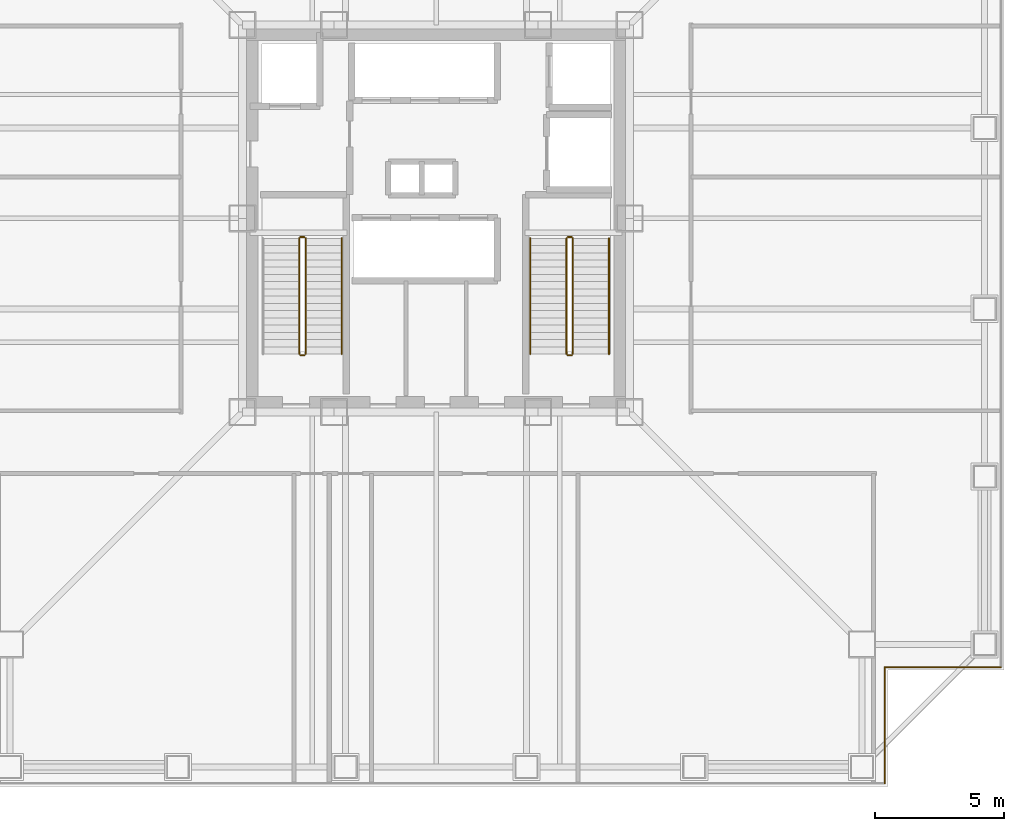
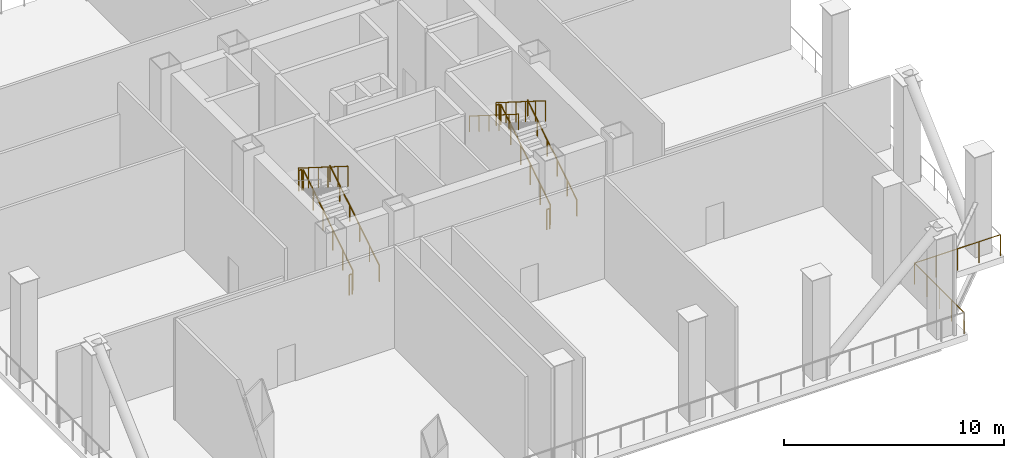
# One storey, part 6 of 7: 13 railings.
"""IFC4 building model written with IfcOpenShell, lengths in metres."""

import ifcopenshell
import ifcopenshell.guid

model = None  # the IFC model being written
_history = None  # IfcOwnerHistory: only IFC2X3 demands one
_inside = {}  # id of a spatial element -> (the spatial element, [elements in it])
_under = {}  # id of a project, library or spatial element -> (it, [spatial elements below it])
_declared = {}  # id of a project -> (the project, [libraries it declares])
_typed = {}  # id of a type object -> (the type object, [elements of that type])
_made_of = {}  # id of a material, layer set ... -> (it, [elements and type objects made of it])


def new_model(schema):
    """Start an empty IFC model of exactly this schema.

    Asked for "IFC4X3", IfcOpenShell would pick the latest addendum, in which some entities
    have other attributes; the version numbers below select the first issue.
    IFC2X3 requires an IfcOwnerHistory on every rooted entity: one is made here for all.
    """
    global model, _history
    if schema == "IFC4X3":
        model = ifcopenshell.file(schema_version=(4, 3, 0, 0))
    else:
        model = ifcopenshell.file(schema=schema)
    _inside.clear()
    _under.clear()
    _declared.clear()
    _typed.clear()
    _made_of.clear()
    _history = None
    if model.schema == "IFC2X3":
        org = make("IfcOrganization", Name="unknown")
        user = make(
            "IfcPersonAndOrganization",
            ThePerson=make("IfcPerson", FamilyName="unknown"),
            TheOrganization=org,
        )
        app = make(
            "IfcApplication",
            ApplicationDeveloper=org,
            Version="unknown",
            ApplicationFullName="unknown",
            ApplicationIdentifier="unknown",
        )
        _history = make(
            "IfcOwnerHistory",
            OwningUser=user,
            OwningApplication=app,
            ChangeAction="ADDED",
            CreationDate=0,
        )
    return model


def make(cls, **values):
    """One entity of the class cls with the attributes given. An attribute that is None is left unset."""
    return model.create_entity(
        cls, **{name: value for name, value in values.items() if value is not None}
    )


def rooted(cls, **values):
    """An entity with a GlobalId (a new one), such as an element, a storey or a relation."""
    return make(cls, GlobalId=ifcopenshell.guid.new(), OwnerHistory=_history, **values)


def si_unit(unit_type, name, prefix=None):
    """IfcSIUnit, for example si_unit("LENGTHUNIT", "METRE", prefix="MILLI")."""
    return make("IfcSIUnit", UnitType=unit_type, Prefix=prefix, Name=name)


def assignment(units):
    """IfcUnitAssignment: the units of a project."""
    return None if units is None else make("IfcUnitAssignment", Units=units)


def point(xyz):
    """IfcCartesianPoint."""
    return None if xyz is None else make("IfcCartesianPoint", Coordinates=xyz)


def direction(xyz):
    """IfcDirection."""
    return None if xyz is None else make("IfcDirection", DirectionRatios=xyz)


def frame(location, z_axis=None, x_axis=None):
    """IfcAxis2Placement3D, a coordinate frame: its origin and axes. An axis left out is left unset."""
    return make(
        "IfcAxis2Placement3D",
        Location=point(location),
        Axis=direction(z_axis),
        RefDirection=direction(x_axis),
    )


def frame_2d(location, x_axis=None):
    """IfcAxis2Placement2D, a coordinate frame in the plane: its origin and x axis."""
    return make(
        "IfcAxis2Placement2D", Location=point(location), RefDirection=direction(x_axis)
    )


def origin():
    """The frame at (0, 0, 0) with its axes left unset."""
    return frame((0.0, 0.0, 0.0))


def origin_2d():
    """The frame at (0, 0) in the plane with its x axis left unset."""
    return frame_2d((0.0, 0.0))


def place(relative_to, where):
    """IfcLocalPlacement: puts the frame where relative to a parent placement (None: the world)."""
    return make(
        "IfcLocalPlacement", PlacementRelTo=relative_to, RelativePlacement=where
    )


def context(
    kind, dimensions, precision=None, world=None, true_north=None, identifier=None
):
    """IfcGeometricRepresentationContext, for example the 3D "Model" context."""
    return make(
        "IfcGeometricRepresentationContext",
        ContextIdentifier=identifier,
        ContextType=kind,
        CoordinateSpaceDimension=dimensions,
        Precision=precision,
        WorldCoordinateSystem=world,
        TrueNorth=true_north,
    )


def subcontext(parent, identifier, kind, view, scale=None):
    """IfcGeometricRepresentationSubContext, for example "Body" below "Model"."""
    return make(
        "IfcGeometricRepresentationSubContext",
        ContextIdentifier=identifier,
        ContextType=kind,
        ParentContext=parent,
        TargetScale=scale,
        TargetView=view,
    )


def project(units=None, contexts=None):
    """IfcProject with its units and contexts."""
    return rooted(
        "IfcProject",
        Name="project",
        RepresentationContexts=contexts,
        UnitsInContext=assignment(units),
    )


def spatial(cls, under=None, at=None, **own):
    """A site, building, storey or space (cls), placed at a placement, below another one or the project."""
    s = rooted(cls, ObjectPlacement=at, **own)
    if under is not None:
        _under.setdefault(under.id(), (under, []))[1].append(s)
    return s


def profile(cls, at=None, kind="AREA", **sizes):
    """A parametric profile (cls). Its sizes go by their IFC names, for example OverallWidth=200.0."""
    return make(cls, ProfileType=kind, Position=at, **sizes)


def circle(**sizes):
    """IfcCircleProfileDef."""
    return profile("IfcCircleProfileDef", **sizes)


def extrude(swept, where, along, depth):
    """IfcExtrudedAreaSolid: the profile swept, set in the frame where, extruded along a direction by depth."""
    return make(
        "IfcExtrudedAreaSolid",
        SweptArea=swept,
        Position=where,
        ExtrudedDirection=direction(along),
        Depth=depth,
    )


def shape(context_of_items, identifier, shape_type, items):
    """IfcShapeRepresentation: the items that make up one representation, for example the "Body"."""
    return make(
        "IfcShapeRepresentation",
        ContextOfItems=context_of_items,
        RepresentationIdentifier=identifier,
        RepresentationType=shape_type,
        Items=items,
    )


def material(Name=None, Category=None):
    """IfcMaterial."""
    return make("IfcMaterial", Name=Name, Category=Category)


def made_of(thing, what):
    """Note that an element or type object is made of a material, layer set ...; save() writes the relation."""
    if what is not None:
        _made_of.setdefault(what.id(), (what, []))[1].append(thing)
    return thing


def type_object(cls, material=None, **own):
    """A type object (cls), such as IfcWallType, which elements share."""
    return made_of(rooted(cls, **own), material)


def element(
    cls,
    number,
    at=None,
    inside=None,
    cuts=None,
    type_object=None,
    material=None,
    context=None,
    identifier="Body",
    shape_type=None,
    held_by="IfcProductDefinitionShape",
    body=None,
    shapes=None,
    **own,
):
    """One element of the class cls, such as IfcWall. Its Tag is "e" and its number.

    at: its placement. inside: the storey or other place that contains it. cuts: it is an
    opening in that element (IfcRelVoidsElement). A single representation is given by context,
    identifier, shape_type and body (its items); several are given by shapes. held_by: the class
    of the entity that holds the representations. save() writes the other relations.
    """
    e = rooted(cls, Tag="e%d" % number, ObjectPlacement=at, **own)
    if body is not None:
        shapes = [shape(context, identifier, shape_type, body)]
    if shapes is not None:
        e.Representation = make(held_by, Representations=shapes)
    if inside is not None:
        _inside.setdefault(inside.id(), (inside, []))[1].append(e)
    if cuts is not None:
        rooted(
            "IfcRelVoidsElement", RelatingBuildingElement=cuts, RelatedOpeningElement=e
        )
    if type_object is not None:
        _typed.setdefault(type_object.id(), (type_object, []))[1].append(e)
    return made_of(e, material)


def aggregate(whole, parts):
    """IfcRelAggregates: a whole, such as a stair, and the parts it consists of."""
    return rooted("IfcRelAggregates", RelatingObject=whole, RelatedObjects=parts)


def save(model, path):
    """Write the relations noted so far, then the file.

    IfcRelAggregates (storeys below a building ...), IfcRelContainedInSpatialStructure (elements
    in a storey), IfcRelDefinesByType, IfcRelAssociatesMaterial and IfcRelDeclares: one each for
    every whole, place, type object, material and project.
    """
    for whole, parts in _under.values():
        aggregate(whole, parts)
    for where, things in _inside.values():
        rooted(
            "IfcRelContainedInSpatialStructure",
            RelatedElements=things,
            RelatingStructure=where,
        )
    for kind, things in _typed.values():
        rooted("IfcRelDefinesByType", RelatedObjects=things, RelatingType=kind)
    for what, things in _made_of.values():
        rooted("IfcRelAssociatesMaterial", RelatedObjects=things, RelatingMaterial=what)
    for by, libraries in _declared.values():
        rooted("IfcRelDeclares", RelatingContext=by, RelatedDefinitions=libraries)
    model.write(path)


model = new_model("IFC4")

# Units and contexts
model_context = context("Model", 3, precision=1e-05, world=origin(), true_north=direction((0.0, 1.0)))
body_context = subcontext(model_context, "Body", "Model", "MODEL_VIEW")
ifc_project = project(units=[si_unit("LENGTHUNIT", "METRE"), si_unit("AREAUNIT", "SQUARE_METRE"), si_unit("VOLUMEUNIT", "CUBIC_METRE"), si_unit("PLANEANGLEUNIT", "RADIAN"), si_unit("MASSUNIT", "GRAM", prefix="KILO")], contexts=[model_context])

# Site, building, storey
site_placement = place(None, origin())
site = spatial("IfcSite", under=ifc_project, at=site_placement, CompositionType="ELEMENT")
building_placement = place(site_placement, origin())
building = spatial("IfcBuilding", under=site, at=building_placement, Name="Trevonay Congress Spire", CompositionType="ELEMENT")
storey_placement = place(building_placement, frame((0.0, 0.0, 160.199951171875)))
storey = spatial("IfcBuildingStorey", under=building, at=storey_placement, Name="L41", CompositionType="ELEMENT", Elevation=160.199951171875)

# Railings
ifc_material = material(Name="Pale Anodised Aluminium EN AW-6063-T6", Category="aluminium")
railing_type_1 = type_object("IfcRailingType", Name="RAL-STAIR-GUARD-110", PredefinedType="GUARDRAIL", material=ifc_material)
railing_1_placement = place(storey_placement, frame((-5.050048828125, -5.25, 0.176513671875)))
element("IfcRailing", 1, at=railing_1_placement, inside=storey, type_object=railing_type_1, Name="L41 ST-1 stair guard 1", PredefinedType="GUARDRAIL", context=body_context, shape_type="SweptSolid", body=[
    extrude(circle(Radius=0.02392578125, at=origin_2d()), frame((0.0, 0.0, 1.1259765625), z_axis=(0.0, 0.845997938375, 0.533186166611), x_axis=(-1.0, 0.0, 0.0)), (0.0, 0.0, 1.0), 5.29541015625),
    extrude(circle(Radius=0.02099609375, at=origin_2d()), origin(), (0.0, 0.0, 1.0), 1.101806640625),
    extrude(circle(Radius=0.02099609375, at=origin_2d()), frame((0.0, 0.89599609375, 0.564697265625)), (0.0, 0.0, 1.0), 1.101806640625),
    extrude(circle(Radius=0.02099609375, at=origin_2d()), frame((0.0, 1.7919921875, 1.12939453125)), (0.0, 0.0, 1.0), 1.101806640625),
    extrude(circle(Radius=0.02099609375, at=origin_2d()), frame((0.0, 2.68798828125, 1.694091796875)), (0.0, 0.0, 1.0), 1.101806640625),
    extrude(circle(Radius=0.02099609375, at=origin_2d()), frame((0.0, 3.583984375, 2.2587890625)), (0.0, 0.0, 1.0), 1.101806640625),
    extrude(circle(Radius=0.02099609375, at=origin_2d()), frame((0.0, 4.47998046875, 2.823486328125)), (0.0, 0.0, 1.0), 1.101806640625),
])
railing_2_placement = place(storey_placement, frame((-5.10009765625, -0.719970703125, 3.0)))
element("IfcRailing", 2, at=railing_2_placement, inside=storey, type_object=railing_type_1, Name="L41 ST-1 stair guard 2", PredefinedType="GUARDRAIL", context=body_context, shape_type="SweptSolid", body=[
    extrude(circle(Radius=0.02392578125, at=origin_2d()), frame((0.0, 0.0, 1.1259765625), z_axis=(-1.0, 0.0, 0.0), x_axis=(0.0, -1.0, 0.0)), (0.0, 0.0, 1.0), 0.14990234375),
    extrude(circle(Radius=0.02099609375, at=origin_2d()), origin(), (0.0, 0.0, 1.0), 1.101806640625),
    extrude(circle(Radius=0.02099609375, at=origin_2d()), frame((-0.14990234375, 0.0, 0.0)), (0.0, 0.0, 1.0), 1.101806640625),
])
railing_3_placement = place(storey_placement, frame((-5.300048828125, -0.77001953125, 3.176513671875)))
element("IfcRailing", 3, at=railing_3_placement, inside=storey, type_object=railing_type_1, Name="L41 ST-1 stair guard 3", PredefinedType="GUARDRAIL", context=body_context, shape_type="SweptSolid", body=[
    extrude(circle(Radius=0.02392578125, at=origin_2d()), frame((0.0, 0.0, 1.1259765625), z_axis=(0.0, -0.845997938375, 0.533186166611), x_axis=(1.0, 0.0, 0.0)), (0.0, 0.0, 1.0), 5.29541015625),
    extrude(circle(Radius=0.02099609375, at=origin_2d()), origin(), (0.0, 0.0, 1.0), 1.101806640625),
    extrude(circle(Radius=0.02099609375, at=origin_2d()), frame((0.0, -0.89599609375, 0.564697265625)), (0.0, 0.0, 1.0), 1.101806640625),
    extrude(circle(Radius=0.02099609375, at=origin_2d()), frame((0.0, -1.7919921875, 1.12939453125)), (0.0, 0.0, 1.0), 1.101806640625),
    extrude(circle(Radius=0.02099609375, at=origin_2d()), frame((0.0, -2.68798828125, 1.694091796875)), (0.0, 0.0, 1.0), 1.101806640625),
    extrude(circle(Radius=0.02099609375, at=origin_2d()), frame((0.0, -3.583984375, 2.2587890625)), (0.0, 0.0, 1.0), 1.101806640625),
    extrude(circle(Radius=0.02099609375, at=origin_2d()), frame((0.0, -4.47998046875, 2.823486328125)), (0.0, 0.0, 1.0), 1.101806640625),
])
railing_4_placement = place(storey_placement, frame((-5.10009765625, -5.300048828125, 0.0)))
element("IfcRailing", 4, at=railing_4_placement, inside=storey, type_object=railing_type_1, Name="L41 ST-1 stair guard 4", PredefinedType="GUARDRAIL", context=body_context, shape_type="SweptSolid", body=[
    extrude(circle(Radius=0.02392578125, at=origin_2d()), frame((0.0, 0.0, 1.1259765625), z_axis=(-1.0, 0.0, 0.0), x_axis=(0.0, -1.0, 0.0)), (0.0, 0.0, 1.0), 0.14990234375),
    extrude(circle(Radius=0.02099609375, at=origin_2d()), origin(), (0.0, 0.0, 1.0), 1.101806640625),
    extrude(circle(Radius=0.02099609375, at=origin_2d()), frame((-0.14990234375, 0.0, 0.0)), (0.0, 0.0, 1.0), 1.101806640625),
])
railing_5_placement = place(storey_placement, frame((5.300048828125, -5.25, 0.176513671875)))
element("IfcRailing", 5, at=railing_5_placement, inside=storey, type_object=railing_type_1, Name="L41 ST-2 stair guard 1", PredefinedType="GUARDRAIL", context=body_context, shape_type="SweptSolid", body=[
    extrude(circle(Radius=0.02392578125, at=origin_2d()), frame((0.0, 0.0, 1.1259765625), z_axis=(0.0, 0.845997938375, 0.533186166611), x_axis=(-1.0, 0.0, 0.0)), (0.0, 0.0, 1.0), 5.29541015625),
    extrude(circle(Radius=0.02099609375, at=origin_2d()), origin(), (0.0, 0.0, 1.0), 1.101806640625),
    extrude(circle(Radius=0.02099609375, at=origin_2d()), frame((0.0, 0.89599609375, 0.564697265625)), (0.0, 0.0, 1.0), 1.101806640625),
    extrude(circle(Radius=0.02099609375, at=origin_2d()), frame((0.0, 1.7919921875, 1.12939453125)), (0.0, 0.0, 1.0), 1.101806640625),
    extrude(circle(Radius=0.02099609375, at=origin_2d()), frame((0.0, 2.68798828125, 1.694091796875)), (0.0, 0.0, 1.0), 1.101806640625),
    extrude(circle(Radius=0.02099609375, at=origin_2d()), frame((0.0, 3.583984375, 2.2587890625)), (0.0, 0.0, 1.0), 1.101806640625),
    extrude(circle(Radius=0.02099609375, at=origin_2d()), frame((0.0, 4.47998046875, 2.823486328125)), (0.0, 0.0, 1.0), 1.101806640625),
])
railing_6_placement = place(storey_placement, frame((5.25, -0.719970703125, 3.0)))
element("IfcRailing", 6, at=railing_6_placement, inside=storey, type_object=railing_type_1, Name="L41 ST-2 stair guard 2", PredefinedType="GUARDRAIL", context=body_context, shape_type="SweptSolid", body=[
    extrude(circle(Radius=0.02392578125, at=origin_2d()), frame((0.0, 0.0, 1.1259765625), z_axis=(-1.0, 0.0, 0.0), x_axis=(0.0, -1.0, 0.0)), (0.0, 0.0, 1.0), 0.14990234375),
    extrude(circle(Radius=0.02099609375, at=origin_2d()), origin(), (0.0, 0.0, 1.0), 1.101806640625),
    extrude(circle(Radius=0.02099609375, at=origin_2d()), frame((-0.14990234375, 0.0, 0.0)), (0.0, 0.0, 1.0), 1.101806640625),
])
railing_7_placement = place(storey_placement, frame((5.050048828125, -0.77001953125, 3.176513671875)))
element("IfcRailing", 7, at=railing_7_placement, inside=storey, type_object=railing_type_1, Name="L41 ST-2 stair guard 3", PredefinedType="GUARDRAIL", context=body_context, shape_type="SweptSolid", body=[
    extrude(circle(Radius=0.02392578125, at=origin_2d()), frame((0.0, 0.0, 1.1259765625), z_axis=(0.0, -0.845997938375, 0.533186166611), x_axis=(1.0, 0.0, 0.0)), (0.0, 0.0, 1.0), 5.29541015625),
    extrude(circle(Radius=0.02099609375, at=origin_2d()), origin(), (0.0, 0.0, 1.0), 1.101806640625),
    extrude(circle(Radius=0.02099609375, at=origin_2d()), frame((0.0, -0.89599609375, 0.564697265625)), (0.0, 0.0, 1.0), 1.101806640625),
    extrude(circle(Radius=0.02099609375, at=origin_2d()), frame((0.0, -1.7919921875, 1.12939453125)), (0.0, 0.0, 1.0), 1.101806640625),
    extrude(circle(Radius=0.02099609375, at=origin_2d()), frame((0.0, -2.68798828125, 1.694091796875)), (0.0, 0.0, 1.0), 1.101806640625),
    extrude(circle(Radius=0.02099609375, at=origin_2d()), frame((0.0, -3.583984375, 2.2587890625)), (0.0, 0.0, 1.0), 1.101806640625),
    extrude(circle(Radius=0.02099609375, at=origin_2d()), frame((0.0, -4.47998046875, 2.823486328125)), (0.0, 0.0, 1.0), 1.101806640625),
])
railing_8_placement = place(storey_placement, frame((5.25, -5.300048828125, 0.0)))
element("IfcRailing", 8, at=railing_8_placement, inside=storey, type_object=railing_type_1, Name="L41 ST-2 stair guard 4", PredefinedType="GUARDRAIL", context=body_context, shape_type="SweptSolid", body=[
    extrude(circle(Radius=0.02392578125, at=origin_2d()), frame((0.0, 0.0, 1.1259765625), z_axis=(-1.0, 0.0, 0.0), x_axis=(0.0, -1.0, 0.0)), (0.0, 0.0, 1.0), 0.14990234375),
    extrude(circle(Radius=0.02099609375, at=origin_2d()), origin(), (0.0, 0.0, 1.0), 1.101806640625),
    extrude(circle(Radius=0.02099609375, at=origin_2d()), frame((-0.14990234375, 0.0, 0.0)), (0.0, 0.0, 1.0), 1.101806640625),
])
railing_type_2 = type_object("IfcRailingType", Name="RAL-STAIR-HANDRAIL", PredefinedType="HANDRAIL", material=ifc_material)
for number, where, name in (
    (9, (-3.64990234375, -5.25, 0.176513671875), "L41 ST-1 stair handrail 1"),
    (10, (6.699951171875, -5.25, 0.176513671875), "L41 ST-2 stair handrail 1"),
):
    element("IfcRailing", number, at=place(storey_placement, frame(where)), inside=storey, type_object=railing_type_2, Name=name, PredefinedType="HANDRAIL", context=body_context, shape_type="SweptSolid", body=[
        extrude(circle(Radius=0.02392578125, at=origin_2d()), frame((0.0, 0.0, 0.8759765625), z_axis=(0.0, 0.845997938375, 0.533186166611), x_axis=(-1.0, 0.0, 0.0)), (0.0, 0.0, 1.0), 5.29541015625),
        extrude(circle(Radius=0.02099609375, at=origin_2d()), origin(), (0.0, 0.0, 1.0), 0.851806640625),
        extrude(circle(Radius=0.02099609375, at=origin_2d()), frame((0.0, 0.89599609375, 0.564697265625)), (0.0, 0.0, 1.0), 0.851806640625),
        extrude(circle(Radius=0.02099609375, at=origin_2d()), frame((0.0, 1.7919921875, 1.12939453125)), (0.0, 0.0, 1.0), 0.851806640625),
        extrude(circle(Radius=0.02099609375, at=origin_2d()), frame((0.0, 2.68798828125, 1.694091796875)), (0.0, 0.0, 1.0), 0.851806640625),
        extrude(circle(Radius=0.02099609375, at=origin_2d()), frame((0.0, 3.583984375, 2.2587890625)), (0.0, 0.0, 1.0), 0.851806640625),
        extrude(circle(Radius=0.02099609375, at=origin_2d()), frame((0.0, 4.47998046875, 2.823486328125)), (0.0, 0.0, 1.0), 0.851806640625),
    ])
railing_9_placement = place(storey_placement, frame((3.64990234375, -0.77001953125, 3.176513671875)))
element("IfcRailing", 11, at=railing_9_placement, inside=storey, type_object=railing_type_2, Name="L41 ST-2 stair handrail 2", PredefinedType="HANDRAIL", context=body_context, shape_type="SweptSolid", body=[
    extrude(circle(Radius=0.02392578125, at=origin_2d()), frame((0.0, 0.0, 0.8759765625), z_axis=(0.0, -0.845997938375, 0.533186166611), x_axis=(1.0, 0.0, 0.0)), (0.0, 0.0, 1.0), 5.29541015625),
    extrude(circle(Radius=0.02099609375, at=origin_2d()), origin(), (0.0, 0.0, 1.0), 0.851806640625),
    extrude(circle(Radius=0.02099609375, at=origin_2d()), frame((0.0, -0.89599609375, 0.564697265625)), (0.0, 0.0, 1.0), 0.851806640625),
    extrude(circle(Radius=0.02099609375, at=origin_2d()), frame((0.0, -1.7919921875, 1.12939453125)), (0.0, 0.0, 1.0), 0.851806640625),
    extrude(circle(Radius=0.02099609375, at=origin_2d()), frame((0.0, -2.68798828125, 1.694091796875)), (0.0, 0.0, 1.0), 0.851806640625),
    extrude(circle(Radius=0.02099609375, at=origin_2d()), frame((0.0, -3.583984375, 2.2587890625)), (0.0, 0.0, 1.0), 0.851806640625),
    extrude(circle(Radius=0.02099609375, at=origin_2d()), frame((0.0, -4.47998046875, 2.823486328125)), (0.0, 0.0, 1.0), 0.851806640625),
])
railing_type_3 = type_object("IfcRailingType", Name="RAL-WIND-GUARD-120", PredefinedType="GUARDRAIL", material=ifc_material)
railing_10_placement = place(storey_placement, frame((21.8798828125, -17.3798828125, 0.0)))
element("IfcRailing", 12, at=railing_10_placement, inside=storey, type_object=railing_type_3, Name="L41 perimeter safety guard GRD-L41-WIND-10", PredefinedType="GUARDRAIL", context=body_context, shape_type="SweptSolid", body=[
    extrude(circle(Radius=0.02392578125, at=origin_2d()), frame((0.0, 0.0, 1.17578125), z_axis=(-1.0, 0.0, 0.0), x_axis=(0.0, -1.0, 0.0)), (0.0, 0.0, 1.0), 4.5),
    extrude(circle(Radius=0.02099609375, at=origin_2d()), origin(), (0.0, 0.0, 1.0), 1.15185546875),
    extrude(circle(Radius=0.02099609375, at=origin_2d()), frame((-1.125, 0.0, 0.0)), (0.0, 0.0, 1.0), 1.15185546875),
    extrude(circle(Radius=0.02099609375, at=origin_2d()), frame((-2.25, 0.0, 0.0)), (0.0, 0.0, 1.0), 1.15185546875),
    extrude(circle(Radius=0.02099609375, at=origin_2d()), frame((-3.375, 0.0, 0.0)), (0.0, 0.0, 1.0), 1.15185546875),
    extrude(circle(Radius=0.02099609375, at=origin_2d()), frame((-4.5, 0.0, 0.0)), (0.0, 0.0, 1.0), 1.15185546875),
])
railing_11_placement = place(storey_placement, frame((17.3798828125, -17.3798828125, 0.0)))
element("IfcRailing", 13, at=railing_11_placement, inside=storey, type_object=railing_type_3, Name="L41 perimeter safety guard GRD-L41-WIND-11", PredefinedType="GUARDRAIL", context=body_context, shape_type="SweptSolid", body=[
    extrude(circle(Radius=0.02392578125, at=origin_2d()), frame((0.0, 0.0, 1.17578125), z_axis=(0.0, -1.0, 0.0), x_axis=(1.0, 0.0, 0.0)), (0.0, 0.0, 1.0), 4.5),
    extrude(circle(Radius=0.02099609375, at=origin_2d()), origin(), (0.0, 0.0, 1.0), 1.15185546875),
    extrude(circle(Radius=0.02099609375, at=origin_2d()), frame((0.0, -1.125, 0.0)), (0.0, 0.0, 1.0), 1.15185546875),
    extrude(circle(Radius=0.02099609375, at=origin_2d()), frame((0.0, -2.25, 0.0)), (0.0, 0.0, 1.0), 1.15185546875),
    extrude(circle(Radius=0.02099609375, at=origin_2d()), frame((0.0, -3.375, 0.0)), (0.0, 0.0, 1.0), 1.15185546875),
    extrude(circle(Radius=0.02099609375, at=origin_2d()), frame((0.0, -4.5, 0.0)), (0.0, 0.0, 1.0), 1.15185546875),
])

save(model, "model.ifc")
